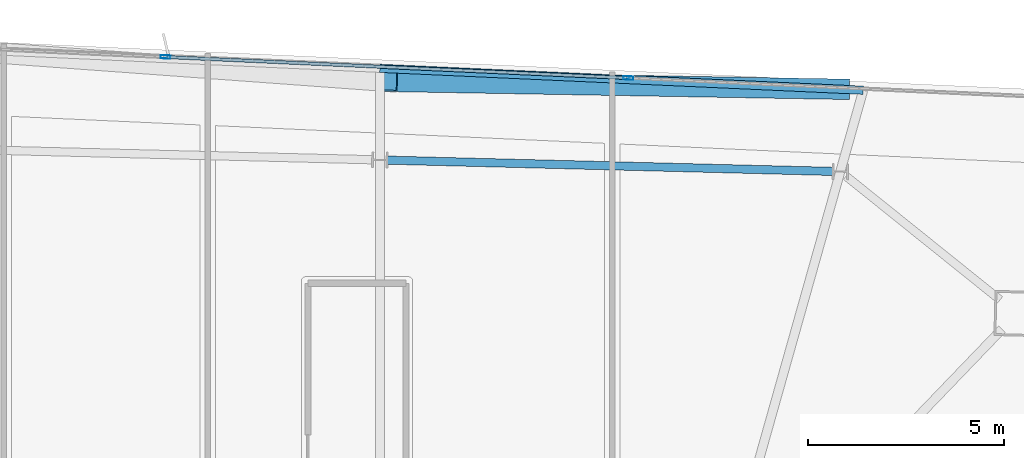
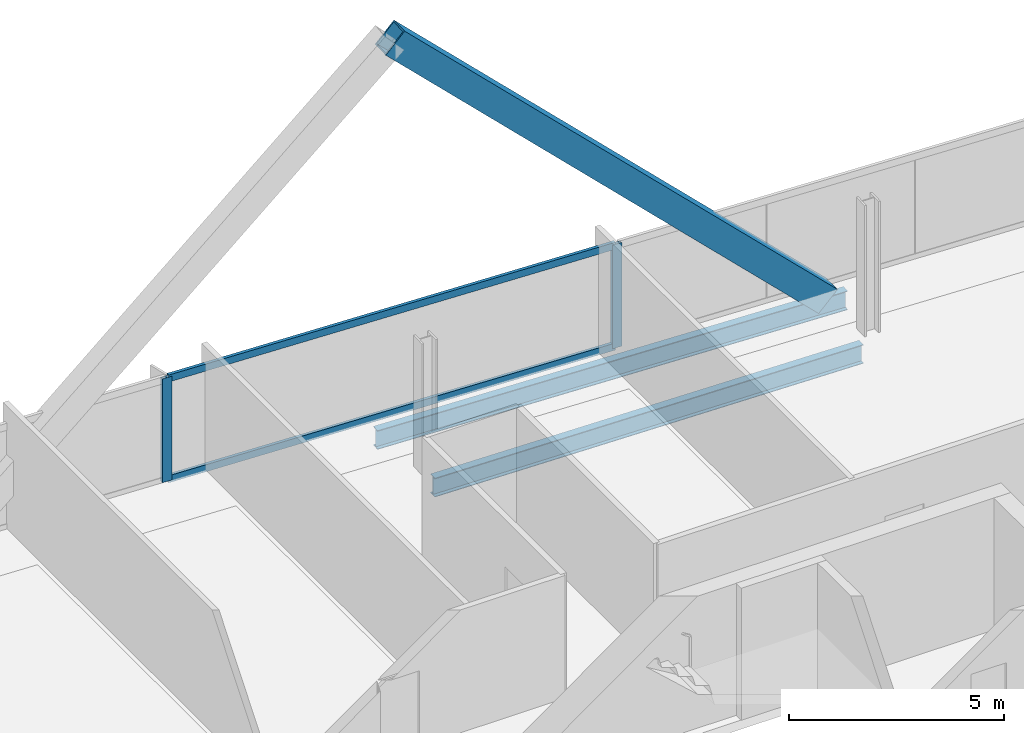
# One storey, part 16 of 26: 5 members, 2 beams, 1 element without a shape of its own.
"""IFC4 building model written with IfcOpenShell, lengths in metres."""

from ifc_helpers import new_model, si_unit, direction, frame, origin, origin_2d, place, context, subcontext, project, spatial, hollow_rectangle, i_section, extrude, material, material_profile, profile_set, type_object, element, aggregate, save


model = new_model("IFC4")

# Units and contexts
model_context = context("Model", 3, precision=1e-05, world=origin(), true_north=direction((0.0, 1.0)))
body_context = subcontext(model_context, "Body", "Model", "MODEL_VIEW")
ifc_project = project(units=[si_unit("LENGTHUNIT", "METRE"), si_unit("AREAUNIT", "SQUARE_METRE"), si_unit("VOLUMEUNIT", "CUBIC_METRE"), si_unit("PLANEANGLEUNIT", "RADIAN"), si_unit("MASSUNIT", "GRAM", prefix="KILO")], contexts=[model_context])

# Site, building, storey
site_placement = place(None, origin())
site = spatial("IfcSite", under=ifc_project, at=site_placement, CompositionType="ELEMENT")
building_placement = place(site_placement, origin())
building = spatial("IfcBuilding", under=site, at=building_placement, Name="Haldenkirk Collegiate Tower", CompositionType="ELEMENT")
storey_placement = place(building_placement, frame((0.0, 0.0, 321.449951171875)))
storey = spatial("IfcBuildingStorey", under=building, at=storey_placement, Name="L81", CompositionType="ELEMENT", Elevation=321.449951171875)

# Beams
ifc_material_1 = material(Name="Steel ASTM A992 Grade 50", Category="steel")
ifc_material_profile_1 = material_profile(ifc_material_1, i_section(OverallWidth=0.2099609375, OverallDepth=0.537109375, WebThickness=0.010986328125, FlangeThickness=0.017333984375, at=origin_2d()), Name="W21X68")
ifc_profile_set_1 = profile_set([ifc_material_profile_1], Name="Steel ASTM A992 Grade 50")
beam_type = type_object("IfcBeamType", Name="BM-SPANDREL-W21X68", PredefinedType="SPANDREL", material=ifc_profile_set_1)
beam_1_placement = place(storey_placement, frame((48.123779296875, 45.74951171875, -0.528564453125), z_axis=(-0.999679864584, 0.025301548267, 0.0), x_axis=(-0.025301548267, -0.999679864584, 0.0)))
element("IfcBeam", 1, at=beam_1_placement, inside=storey, type_object=beam_type, Name="L81 perimeter spandrel beam 06", PredefinedType="SPANDREL", context=body_context, shape_type="SweptSolid", body=[
    extrude(i_section(OverallWidth=0.2099609375, OverallDepth=0.537109375, WebThickness=0.010986328125, FlangeThickness=0.017333984375, at=origin_2d()), origin(), (0.0, 0.0, 1.0), 11.357177734375),
])
beam_2_placement = place(storey_placement, frame((48.89599609375, 47.8173828125, -0.528564453125), z_axis=(-0.998969969035, 0.045376215855, 0.0), x_axis=(-0.045376215855, -0.998969969035, 0.0)))
element("IfcBeam", 2, at=beam_2_placement, inside=storey, type_object=beam_type, Name="L81 outer facade edge beam 2A", PredefinedType="SPANDREL", context=body_context, shape_type="SweptSolid", body=[
    extrude(i_section(OverallWidth=0.2099609375, OverallDepth=0.537109375, WebThickness=0.010986328125, FlangeThickness=0.017333984375, at=origin_2d()), origin(), (0.0, 0.0, 1.0), 12.326416015625),
])

# Curtain wall, members
ifc_material_2 = material(Name="Anodised architectural bronze aluminium", Category="aluminium")
curtain_wall_type = type_object("IfcCurtainWallType", Name="CW-SYS1B-CONVEX-HI", PredefinedType="USERDEFINED", material=ifc_material_2)
curtain_wall_placement = place(storey_placement, origin())
curtain_wall = element("IfcCurtainWall", 3, at=curtain_wall_placement, inside=storey, type_object=curtain_wall_type, Name="L81 Upper tower high-wind convex bronze unitised curtain wall", ObjectType="UNITISED CURTAIN WALL", PredefinedType="USERDEFINED")
ifc_material_profile_2 = material_profile(ifc_material_2, hollow_rectangle(XDim=0.0849609375, YDim=0.25, WallThickness=0.0048828125, at=origin_2d()), Name="CW-MUL-1B")
ifc_profile_set_2 = profile_set([ifc_material_profile_2], Name="Anodised architectural bronze aluminium")
member_type_1 = type_object("IfcMemberType", Name="CW-MUL-1B", PredefinedType="MULLION", material=ifc_profile_set_2)
member_1_placement = place(storey_placement, frame((31.123046875, 48.66455078125, 0.0), z_axis=(0.0, 0.0, 1.0), x_axis=(0.045364478326, 0.99897050212, 0.0)))
member_1 = element("IfcMember", 4, at=member_1_placement, type_object=member_type_1, Name="CW-1B mullion 2", PredefinedType="MULLION", context=body_context, shape_type="SweptSolid", body=[
    extrude(hollow_rectangle(XDim=0.0849609375, YDim=0.25, WallThickness=0.0048828125, at=origin_2d()), origin(), (0.0, 0.0, 1.0), 2.947998046875),
])
member_2_placement = place(storey_placement, frame((42.910888671875, 48.12939453125, 0.0), z_axis=(0.0, 0.0, 1.0), x_axis=(0.045364478326, 0.99897050212, 0.0)))
member_2 = element("IfcMember", 5, at=member_2_placement, type_object=member_type_1, Name="CW-1B mullion 3", PredefinedType="MULLION", context=body_context, shape_type="SweptSolid", body=[
    extrude(hollow_rectangle(XDim=0.0849609375, YDim=0.25, WallThickness=0.0048828125, at=origin_2d()), origin(), (0.0, 0.0, 1.0), 2.947998046875),
])
ifc_material_profile_3 = material_profile(ifc_material_2, hollow_rectangle(XDim=0.0849609375, YDim=0.199951171875, WallThickness=0.0048828125, at=origin_2d()), Name="CW-TRN-1B")
ifc_profile_set_3 = profile_set([ifc_material_profile_3], Name="Anodised architectural bronze aluminium")
member_type_2 = type_object("IfcMemberType", Name="CW-TRN-1B", PredefinedType="USERDEFINED", material=ifc_profile_set_3)
member_3_placement = place(storey_placement, frame((31.16552734375, 48.66259765625, 0.04248046875), z_axis=(0.998971245502, -0.045348105355, 0.0), x_axis=(0.045348105355, 0.998971245502, 0.0)))
member_3 = element("IfcMember", 6, at=member_3_placement, type_object=member_type_2, Name="CW-1B transom 2.1", ObjectType="TRANSOM", PredefinedType="USERDEFINED", context=body_context, shape_type="SweptSolid", body=[
    extrude(hollow_rectangle(XDim=0.0849609375, YDim=0.199951171875, WallThickness=0.0048828125, at=origin_2d()), origin(), (0.0, 0.0, 1.0), 11.71484375),
])
member_4_placement = place(storey_placement, frame((31.16552734375, 48.66259765625, 2.905517578125), z_axis=(0.998971245502, -0.045348105355, 0.0), x_axis=(0.045348105355, 0.998971245502, 0.0)))
member_4 = element("IfcMember", 7, at=member_4_placement, type_object=member_type_2, Name="CW-1B transom 2.2", ObjectType="TRANSOM", PredefinedType="USERDEFINED", context=body_context, shape_type="SweptSolid", body=[
    extrude(hollow_rectangle(XDim=0.0849609375, YDim=0.199951171875, WallThickness=0.0048828125, at=origin_2d()), origin(), (0.0, 0.0, 1.0), 11.71484375),
])
aggregate(curtain_wall, [member_1, member_2, member_3, member_4])

# Member
ifc_material_3 = material(Name="Steel ASTM A572 Grade 50", Category="steel")
ifc_material_profile_4 = material_profile(ifc_material_3, hollow_rectangle(XDim=0.52001953125, YDim=0.719970703125, WallThickness=0.035888671875, at=origin_2d()), Name="BOX720X520X36")
ifc_profile_set_4 = profile_set([ifc_material_profile_4], Name="Steel ASTM A572 Grade 50")
member_type_3 = type_object("IfcMemberType", Name="MBR-MEGABRACE-BOX720X520X36", PredefinedType="BRACE", material=ifc_profile_set_4)
member_5_placement = place(storey_placement, frame((48.296630859375, 47.8447265625, -0.27001953125), z_axis=(-0.715409196141, 0.012370974254, 0.698596193142), x_axis=(-0.017289580784, -0.999850524027, 0.0)))
element("IfcMember", 8, at=member_5_placement, inside=storey, type_object=member_type_3, Name="Perimeter Mega Brace Z6 L81-L83 EL", PredefinedType="BRACE", context=body_context, shape_type="SweptSolid", body=[
    extrude(hollow_rectangle(XDim=0.52001953125, YDim=0.719970703125, WallThickness=0.035888671875, at=origin_2d()), origin(), (0.0, 0.0, 1.0), 16.103759765625),
])

save(model, "model.ifc")
